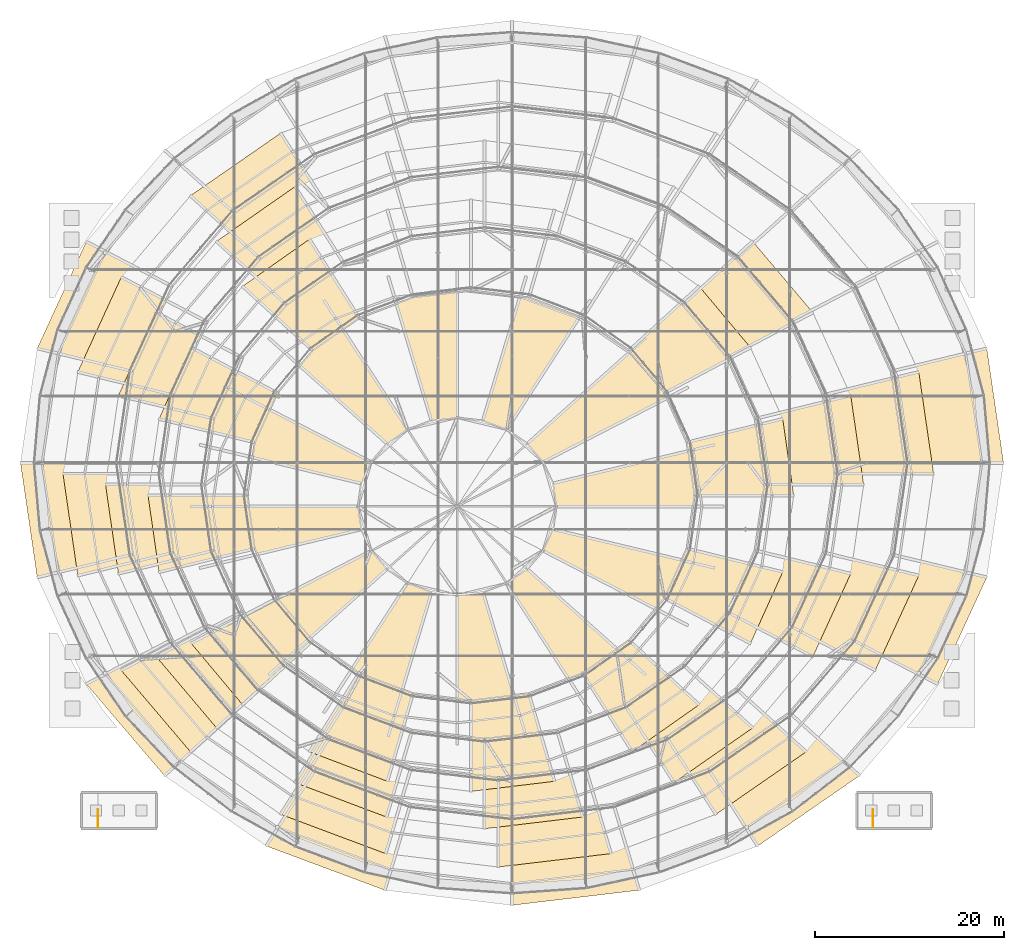
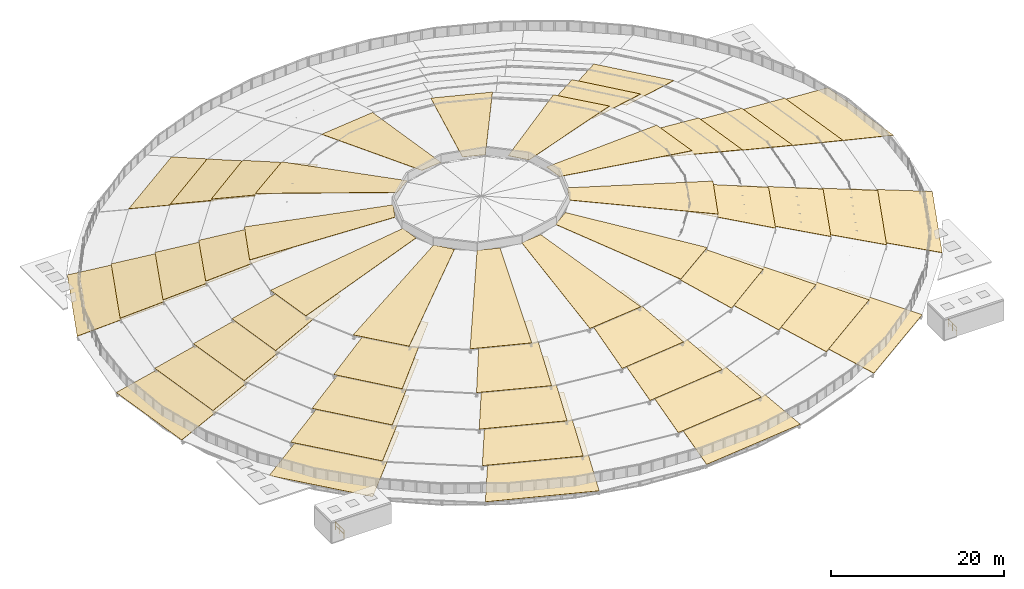
# One storey, part 172 of 173: 49 coverings, 2 railings.
"""IFC4 building model written with IfcOpenShell, lengths in metres."""

from ifc_helpers import new_model, si_unit, direction, frame, origin, origin_2d, place, context, subcontext, project, spatial, polyline, circle, outline, extrude, material, layer, layer_set, type_object, element, save


model = new_model("IFC4")

# Units and contexts
model_context = context("Model", 3, precision=1e-05, world=origin(), true_north=direction((0.0, 1.0)))
body_context = subcontext(model_context, "Body", "Model", "MODEL_VIEW")
ifc_project = project(units=[si_unit("LENGTHUNIT", "METRE"), si_unit("AREAUNIT", "SQUARE_METRE"), si_unit("VOLUMEUNIT", "CUBIC_METRE"), si_unit("PLANEANGLEUNIT", "RADIAN"), si_unit("MASSUNIT", "GRAM", prefix="KILO")], contexts=[model_context])

# Site, building, storey
site_placement = place(None, origin())
site = spatial("IfcSite", under=ifc_project, at=site_placement, CompositionType="ELEMENT")
building_placement = place(site_placement, origin())
building = spatial("IfcBuilding", under=site, at=building_placement, Name="Glasvene Arena", CompositionType="ELEMENT")
storey_placement = place(building_placement, frame((0.0, 0.0, 28.800048828125)))
storey = spatial("IfcBuildingStorey", under=building, at=storey_placement, Name="RF", CompositionType="ELEMENT", Elevation=28.800048828125)

# Coverings
ifc_material_1 = material(Name="Smooth matte white insulated roof panel")
ifc_layer = layer(ifc_material_1, 0.0400390625)
ifc_layer_set = layer_set([ifc_layer], Name="Smooth matte white insulated roof panel")
covering_type = type_object("IfcCoveringType", Name="COV-ROOF-PETAL", PredefinedType="ROOFING", material=ifc_layer_set)
covering_1_placement = place(storey_placement, frame((144.0, 73.0, 0.0400390625), z_axis=(0.231489028727, 0.033863152392, 0.972247970679), x_axis=(-0.144748418903, 0.989468491274, 1.18138e-06)))
element("IfcCovering", 1, at=covering_1_placement, inside=storey, type_object=covering_type, Name="Matte white petal roof membrane 1-01", PredefinedType="ROOFING", context=body_context, shape_type="SweptSolid", body=[
    extrude(outline(polyline([(0.0, 0.0), (12.241717224232712, 4.440892098500626e-16), (11.289728837959428, 10.685861966750252), (1.5198613519329929, 10.685973117628508), (0.0, 0.0)])), origin(), (0.0, 0.0, -1.0), 0.0400390625),
])
covering_2_placement = place(storey_placement, frame((46.966796875, 96.39990234375, 0.0400390625), z_axis=(-0.21553515257, 0.099199737003, 0.971444290829), x_axis=(-0.418088722447, -0.908406197778, 8.64003e-07)))
element("IfcCovering", 2, at=covering_2_placement, inside=storey, type_object=covering_type, Name="Matte white petal roof membrane 1-11", PredefinedType="ROOFING", context=body_context, shape_type="SweptSolid", body=[
    extrude(outline(polyline([(0.0, 0.0), (12.425177532204613, 0.0), (10.406666894711167, 10.536581165941051), (0.4902982023239435, 10.53666252199784), (0.0, 0.0)])), origin(), (0.0, 0.0, -1.0), 0.0400390625),
])
covering_3_placement = place(storey_placement, frame((40.0, 73.0, 0.0400390625), z_axis=(-0.231489028727, -0.033863152392, 0.972247970679), x_axis=(0.144748418903, -0.989468491274, 1.18138e-06)))
element("IfcCovering", 3, at=covering_3_placement, inside=storey, type_object=covering_type, Name="Matte white petal roof membrane 1-13", PredefinedType="ROOFING", context=body_context, shape_type="SweptSolid", body=[
    extrude(outline(polyline([(0.0, 0.0), (12.241717224232712, 4.440892098500626e-16), (11.289728837959428, 10.685861966750252), (1.5198613519329929, 10.685973117628508), (0.0, 0.0)])), origin(), (0.0, 0.0, -1.0), 0.0400390625),
])
covering_4_placement = place(storey_placement, frame((46.966796875, 49.60009765625, 0.0400390625), z_axis=(-0.184821301548, -0.157573849317, 0.970057507834), x_axis=(0.64878442939, -0.760972249285, -1.48321e-07)))
element("IfcCovering", 4, at=covering_4_placement, inside=storey, type_object=covering_type, Name="Matte white petal roof membrane 1-15", PredefinedType="ROOFING", context=body_context, shape_type="SweptSolid", body=[
    extrude(outline(polyline([(0.0, 0.0), (12.737161776082907, 0.0), (12.46918601935394, 10.293353925118693), (2.304083837361431, 10.293339939019024), (0.0, 0.0)])), origin(), (0.0, 0.0, -1.0), 0.0400390625),
])
covering_5_placement = place(storey_placement, frame((66.0, 32.469970703125, 0.0400390625), z_axis=(-0.088876093687, -0.238411353806, 0.967088965063), x_axis=(0.937009571992, -0.349303681624, -2.20372e-07)))
element("IfcCovering", 5, at=covering_5_placement, inside=storey, type_object=covering_type, Name="Matte white petal roof membrane 1-17", PredefinedType="ROOFING", context=body_context, shape_type="SweptSolid", body=[
    extrude(outline(polyline([(0.0, 0.0), (13.384606253981396, 0.0), (12.742537220942722, 9.825569358369075), (2.0606549970171906, 9.825548514118092), (0.0, 0.0)])), origin(), (0.0, 0.0, -1.0), 0.0400390625),
])
covering_6_placement = place(storey_placement, frame((92.0, 26.199951171875, 0.0400390625), z_axis=(0.030290710869, -0.255636062325, 0.966298440687), x_axis=(0.993052876715, 0.117668959578, 1.57217e-07)))
element("IfcCovering", 6, at=covering_6_placement, inside=storey, type_object=covering_type, Name="Matte white petal roof membrane 1-19", PredefinedType="ROOFING", context=body_context, shape_type="SweptSolid", body=[
    extrude(outline(polyline([(0.0, 0.0), (13.552648077575917, -2.220446049250313e-16), (11.928072174230536, 9.711581693708933), (1.1119663155016197, 9.711596576464993), (0.0, 0.0)])), origin(), (0.0, 0.0, -1.0), 0.0400390625),
])
covering_7_placement = place(storey_placement, frame((118.0, 32.469970703125, 0.0400390625), z_axis=(0.141586340681, -0.205016773168, 0.968463438057), x_axis=(0.822846991231, 0.568262992831, -4.6396e-07)))
element("IfcCovering", 7, at=covering_7_placement, inside=storey, type_object=covering_type, Name="Matte white petal roof membrane 1-21", PredefinedType="ROOFING", context=body_context, shape_type="SweptSolid", body=[
    extrude(outline(polyline([(0.0, 0.0), (13.088132395215418, 8.881784197001252e-16), (10.776060498855626, 10.033905998163355), (0.33062434870891233, 10.033862175654544), (0.0, 0.0)])), origin(), (0.0, 0.0, -1.0), 0.0400390625),
])
covering_8_placement = place(storey_placement, frame((137.033203125, 49.60009765625, 0.0400390625), z_axis=(0.21553515257, -0.099199737003, 0.971444290829), x_axis=(0.418088722447, 0.908406197778, 8.64003e-07)))
element("IfcCovering", 8, at=covering_8_placement, inside=storey, type_object=covering_type, Name="Matte white petal roof membrane 1-23", PredefinedType="ROOFING", context=body_context, shape_type="SweptSolid", body=[
    extrude(outline(polyline([(0.0, 0.0), (12.425177532204613, 0.0), (10.406666894711167, 10.536581165941051), (0.4902982023239435, 10.53666252199784), (0.0, 0.0)])), origin(), (0.0, 0.0, -1.0), 0.0400390625),
])
covering_9_placement = place(storey_placement, frame((136.60009765625, 71.85009765625, 2.58984375), z_axis=(0.235860670554, 0.034374340042, 0.971178741959), x_axis=(-0.144210662375, 0.989547009927, -1.443481e-06)))
element("IfcCovering", 9, at=covering_9_placement, inside=storey, type_object=covering_type, Name="Matte white petal roof membrane 2-01", PredefinedType="ROOFING", context=body_context, shape_type="SweptSolid", body=[
    extrude(outline(polyline([(0.0, 0.0), (10.88057973922622, 0.0), (9.913793542461525, 10.698711171247075), (1.514208273988315, 10.698594409012124), (0.0, 0.0)])), origin(), (0.0, 0.0, -1.0), 0.0400390625),
])
covering_10_placement = place(storey_placement, frame((67.52490234375, 107.876708984375, 2.58984375), z_axis=(-0.144262157214, 0.208114765323, 0.967407191647), x_axis=(-0.821850712845, -0.569702910116, 1.68564e-06)))
element("IfcCovering", 10, at=covering_10_placement, inside=storey, type_object=covering_type, Name="Matte white petal roof membrane 2-09", PredefinedType="ROOFING", context=body_context, shape_type="SweptSolid", body=[
    extrude(outline(polyline([(0.0, 0.0), (11.604433923236568, -8.881784197001252e-16), (9.323573065054523, 10.070193159702313), (0.36516935892478763, 10.070330039629248), (0.0, 0.0)])), origin(), (0.0, 0.0, -1.0), 0.0400390625),
])
covering_11_placement = place(storey_placement, frame((50.66943359375, 92.64990234375, 2.58984375), z_axis=(-0.219607802748, 0.100696299557, 0.970377590543), x_axis=(-0.416797349837, -0.908999432985, 9.57372e-07)))
element("IfcCovering", 11, at=covering_11_placement, inside=storey, type_object=covering_type, Name="Matte white petal roof membrane 2-11", PredefinedType="ROOFING", context=body_context, shape_type="SweptSolid", body=[
    extrude(outline(polyline([(0.0, 0.0), (11.037364297245404, 0.0), (9.041835193464571, 10.555093918114475), (0.5210446515838537, 10.555171422032824), (0.0, 0.0)])), origin(), (0.0, 0.0, -1.0), 0.0400390625),
])
covering_12_placement = place(storey_placement, frame((44.5, 71.85009765625, 2.58984375), z_axis=(-0.235863718251, -0.034370886311, 0.971178124026), x_axis=(0.144206732606, -0.98954758262, 1.553461e-06)))
element("IfcCovering", 12, at=covering_12_placement, inside=storey, type_object=covering_type, Name="Matte white petal roof membrane 2-13", PredefinedType="ROOFING", context=body_context, shape_type="SweptSolid", body=[
    extrude(outline(polyline([(0.0, 0.0), (10.880821327919225, 0.0), (9.913966303748749, 10.698473507295587), (1.5141746537653364, 10.698599167340246), (0.0, 0.0)])), origin(), (0.0, 0.0, -1.0), 0.0400390625),
])
covering_13_placement = place(storey_placement, frame((50.66943359375, 51.050048828125, 2.58984375), z_axis=(-0.18831100944, -0.159955797554, 0.968995927005), x_axis=(0.647391469929, -0.762157650794, -6.12685e-07)))
element("IfcCovering", 13, at=covering_13_placement, inside=storey, type_object=covering_type, Name="Matte white petal roof membrane 2-15", PredefinedType="ROOFING", context=body_context, shape_type="SweptSolid", body=[
    extrude(outline(polyline([(0.0, 0.0), (11.304382372824216, 0.0), (10.99897672151799, 10.320906883303298), (2.272231876256899, 10.320857211396357), (0.0, 0.0)])), origin(), (0.0, 0.0, -1.0), 0.0400390625),
])
covering_14_placement = place(storey_placement, frame((67.52490234375, 35.8232421875, 2.58984375), z_axis=(-0.090554804084, -0.242011864432, 0.966038345477), x_axis=(0.936582768501, -0.350446454893, -1.35421e-07)))
element("IfcCovering", 14, at=covering_14_placement, inside=storey, type_object=covering_type, Name="Matte white petal roof membrane 2-17", PredefinedType="ROOFING", context=body_context, shape_type="SweptSolid", body=[
    extrude(outline(polyline([(0.0, 0.0), (11.858477260701664, -4.440892098500626e-16), (11.193067935811923, 9.86866354240594), (2.03828187782794, 9.868652529838156), (0.0, 0.0)])), origin(), (0.0, 0.0, -1.0), 0.0400390625),
])
covering_15_placement = place(storey_placement, frame((90.550048828125, 30.25, 2.58984375), z_axis=(0.030862119154, -0.259499185211, 0.965250072508), x_axis=(0.993001813873, 0.118099100951, 4.97457e-07)))
element("IfcCovering", 15, at=covering_15_placement, inside=storey, type_object=covering_type, Name="Matte white petal roof membrane 2-19", PredefinedType="ROOFING", context=body_context, shape_type="SweptSolid", body=[
    extrude(outline(polyline([(0.0, 0.0), (12.002452619569137, 2.220446049250313e-16), (10.385979247061696, 9.758021138560556), (1.1202127602746113, 9.758061624201938), (0.0, 0.0)])), origin(), (0.0, 0.0, -1.0), 0.0400390625),
])
covering_16_placement = place(storey_placement, frame((113.574951171875, 35.8232421875, 2.58984375), z_axis=(0.144260032322, -0.208113375655, 0.967407807467), x_axis=(0.821857240862, 0.569693492715, -3.26929e-07)))
element("IfcCovering", 16, at=covering_16_placement, inside=storey, type_object=covering_type, Name="Matte white petal roof membrane 2-21", PredefinedType="ROOFING", context=body_context, shape_type="SweptSolid", body=[
    extrude(outline(polyline([(0.0, 0.0), (11.604634571172364, 0.0), (9.323796035705573, 10.070360821779554), (0.36505259450988403, 10.070334273071168), (0.0, 0.0)])), origin(), (0.0, 0.0, -1.0), 0.0400390625),
])
covering_17_placement = place(storey_placement, frame((130.430419921875, 51.050048828125, 2.58984375), z_axis=(0.219604588853, -0.100697841615, 0.970378157858), x_axis=(0.416815161719, 0.908991265612, -1.096195e-06)))
element("IfcCovering", 17, at=covering_17_placement, inside=storey, type_object=covering_type, Name="Matte white petal roof membrane 2-23", PredefinedType="ROOFING", context=body_context, shape_type="SweptSolid", body=[
    extrude(outline(polyline([(0.0, 0.0), (11.03746605658737, 0.0), (9.041629253349374, 10.555270329601633), (0.5208387115804678, 10.55518158602328), (0.0, 0.0)])), origin(), (0.0, 0.0, -1.0), 0.0400390625),
])
covering_18_placement = place(storey_placement, frame((129.199951171875, 70.699951171875, 5.18994140625), z_axis=(0.240223908987, 0.034840596753, 0.97009206077), x_axis=(-0.143538945292, 0.989644669152, 1.727344e-06)))
element("IfcCovering", 18, at=covering_18_placement, inside=storey, type_object=covering_type, Name="Matte white petal roof membrane 3-01", PredefinedType="ROOFING", context=body_context, shape_type="SweptSolid", body=[
    extrude(outline(polyline([(0.0, 0.0), (9.5197230504677, -2.220446049250313e-16), (8.534260043735818, 10.711509870476664), (1.5071634168307313, 10.711627619401101), (0.0, 0.0)])), origin(), (0.0, 0.0, -1.0), 0.0400390625),
])
covering_19_placement = place(storey_placement, frame((123.82763671875, 88.89990234375, 5.18994140625), z_axis=(0.191804927642, 0.162132914037, 0.967948236177), x_axis=(-0.645561928834, 0.763707925872, -2.40143e-07)))
element("IfcCovering", 19, at=covering_19_placement, inside=storey, type_object=covering_type, Name="Matte white petal roof membrane 3-03", PredefinedType="ROOFING", context=body_context, shape_type="SweptSolid", body=[
    extrude(outline(polyline([(0.0, 0.0), (9.871336550154723, -8.881784197001252e-16), (9.517338495109565, 10.352786054461061), (2.2309038180464604, 10.352769648612792), (0.0, 0.0)])), origin(), (0.0, 0.0, -1.0), 0.0400390625),
])
covering_20_placement = place(storey_placement, frame((69.050048828125, 102.223388671875, 5.18994140625), z_axis=(-0.146935349015, 0.210957103203, 0.966388691893), x_axis=(-0.820566226963, -0.571551456266, 2.746924e-06)))
element("IfcCovering", 20, at=covering_20_placement, inside=storey, type_object=covering_type, Name="Matte white petal roof membrane 3-09", PredefinedType="ROOFING", context=body_context, shape_type="SweptSolid", body=[
    extrude(outline(polyline([(0.0, 0.0), (10.120981823089542, 0.0), (7.8806174863656695, 10.113667057518423), (0.4098456656423412, 10.11385502313995), (0.0, 0.0)])), origin(), (0.0, 0.0, -1.0), 0.0400390625),
])
covering_21_placement = place(storey_placement, frame((54.372314453125, 88.89990234375, 5.18994140625), z_axis=(-0.223669485577, 0.102066805302, 0.969306106695), x_axis=(-0.415133883873, -0.909760330223, 3.660602e-06)))
element("IfcCovering", 21, at=covering_21_placement, inside=storey, type_object=covering_type, Name="Matte white petal roof membrane 3-11", PredefinedType="ROOFING", context=body_context, shape_type="SweptSolid", body=[
    extrude(outline(polyline([(0.0, 0.0), (9.64957976580567, -4.440892098500626e-16), (7.683458075895944, 10.57553528396468), (0.560341576760755, 10.575785015186677), (0.0, 0.0)])), origin(), (0.0, 0.0, -1.0), 0.0400390625),
])
covering_22_placement = place(storey_placement, frame((49.0, 70.699951171875, 5.18994140625), z_axis=(-0.240223785445, -0.034841617736, 0.970092054694), x_axis=(0.143542620766, -0.989644136051, 1.596807e-06)))
element("IfcCovering", 22, at=covering_22_placement, inside=storey, type_object=covering_type, Name="Matte white petal roof membrane 3-13", PredefinedType="ROOFING", context=body_context, shape_type="SweptSolid", body=[
    extrude(outline(polyline([(0.0, 0.0), (9.51948143808149, 2.220446049250313e-16), (8.534056683981627, 10.711513389666518), (1.5072016699008925, 10.711622236992827), (0.0, 0.0)])), origin(), (0.0, 0.0, -1.0), 0.0400390625),
])
covering_23_placement = place(storey_placement, frame((54.372314453125, 52.5, 5.18994140625), z_axis=(-0.191798850541, -0.162131350593, 0.96794970225), x_axis=(0.645575967213, -0.763696059014, 1.709756e-06)))
element("IfcCovering", 23, at=covering_23_placement, inside=storey, type_object=covering_type, Name="Matte white petal roof membrane 3-15", PredefinedType="ROOFING", context=body_context, shape_type="SweptSolid", body=[
    extrude(outline(polyline([(0.0, 0.0), (9.871494159781639, -8.881784197001252e-16), (9.51749893093738, 10.352945084473276), (2.23106425481254, 10.35306189336), (0.0, 0.0)])), origin(), (0.0, 0.0, -1.0), 0.0400390625),
])
covering_24_placement = place(storey_placement, frame((69.050048828125, 39.1767578125, 5.18994140625), z_axis=(-0.092243481839, -0.24532348173, 0.965042760384), x_axis=(0.936019939147, -0.351946975436, 9.12767e-07)))
element("IfcCovering", 24, at=covering_24_placement, inside=storey, type_object=covering_type, Name="Matte white petal roof membrane 3-17", PredefinedType="ROOFING", context=body_context, shape_type="SweptSolid", body=[
    extrude(outline(polyline([(0.0, 0.0), (10.33245704797012, 4.440892098500626e-16), (9.635992000820206, 9.920501391167154), (2.0090837890247637, 9.920563936675878), (0.0, 0.0)])), origin(), (0.0, 0.0, -1.0), 0.0400390625),
])
covering_25_placement = place(storey_placement, frame((89.10009765625, 34.300048828125, 5.18994140625), z_axis=(0.031432226101, -0.26305309258, 0.964269197707), x_axis=(0.992935389262, 0.118656279831, 2.832927e-06)))
element("IfcCovering", 25, at=covering_25_placement, inside=storey, type_object=covering_type, Name="Matte white petal roof membrane 3-19", PredefinedType="ROOFING", context=body_context, shape_type="SweptSolid", body=[
    extrude(outline(polyline([(0.0, 0.0), (10.4522600827793, 2.220446049250313e-16), (8.846321608396938, 9.814396213201396), (1.1309500330221918, 9.81459048592456), (0.0, 0.0)])), origin(), (0.0, 0.0, -1.0), 0.0400390625),
])
covering_26_placement = place(storey_placement, frame((109.14990234375, 39.1767578125, 5.18994140625), z_axis=(0.146932206358, -0.210959726823, 0.966388596991), x_axis=(0.820584750401, 0.571524861583, -1.654829e-06)))
element("IfcCovering", 26, at=covering_26_placement, inside=storey, type_object=covering_type, Name="Matte white petal roof membrane 3-21", PredefinedType="ROOFING", context=body_context, shape_type="SweptSolid", body=[
    extrude(outline(polyline([(0.0, 0.0), (10.12104262319557, 8.881784197001252e-16), (7.880489610617662, 10.11378795219653), (0.40937791716239796, 10.113674713660265), (0.0, 0.0)])), origin(), (0.0, 0.0, -1.0), 0.0400390625),
])
covering_27_placement = place(storey_placement, frame((123.82763671875, 52.5, 5.18994140625), z_axis=(0.223672413798, -0.102062929851, 0.96930583907), x_axis=(0.415123845805, 0.909764910645, 1.56776e-06)))
element("IfcCovering", 27, at=covering_27_placement, inside=storey, type_object=covering_type, Name="Matte white petal roof membrane 3-23", PredefinedType="ROOFING", context=body_context, shape_type="SweptSolid", body=[
    extrude(outline(polyline([(0.0, 0.0), (9.649801875943824, -4.440892098500626e-16), (7.683787850400673, 10.575555299574932), (0.5607727030250234, 10.575662254612915), (0.0, 0.0)])), origin(), (0.0, 0.0, -1.0), 0.0400390625),
])
covering_28_placement = place(storey_placement, frame((121.800048828125, 69.550048828125, 7.83984375), z_axis=(0.244568244999, 0.035130556133, 0.968995468289), x_axis=(-0.14217764619, 0.989841157419, -1.581985e-06)))
element("IfcCovering", 28, at=covering_28_placement, inside=storey, type_object=covering_type, Name="Matte white petal roof membrane 4-01", PredefinedType="ROOFING", context=body_context, shape_type="SweptSolid", body=[
    extrude(outline(polyline([(0.0, 0.0), (8.183969264178346, -4.440892098500626e-16), (7.160558447580045, 10.725975232579152), (1.4928610924986288, 10.72588654363687), (0.0, 0.0)])), origin(), (0.0, 0.0, -1.0), 0.0400390625),
])
covering_29_placement = place(storey_placement, frame((117.224853515625, 85.199951171875, 7.83984375), z_axis=(0.195303249601, 0.163513234674, 0.967016061284), x_axis=(-0.641943831921, 0.766751665573, -3.39802e-07)))
element("IfcCovering", 29, at=covering_29_placement, inside=storey, type_object=covering_type, Name="Matte white petal roof membrane 4-03", PredefinedType="ROOFING", context=body_context, shape_type="SweptSolid", body=[
    extrude(outline(polyline([(0.0, 0.0), (8.45439492380113, 8.881784197001252e-16), (8.00285220150963, 10.404353872604199), (2.1479315669944694, 10.404334783335461), (0.0, 0.0)])), origin(), (0.0, 0.0, -1.0), 0.0400390625),
])
covering_30_placement = place(storey_placement, frame((70.574951171875, 96.656494140625, 7.83984375), z_axis=(-0.149640653842, 0.212770575896, 0.965575660811), x_axis=(-0.817969355973, -0.575261794908, -2.781612e-06)))
element("IfcCovering", 30, at=covering_30_placement, inside=storey, type_object=covering_type, Name="Matte white petal roof membrane 4-09", PredefinedType="ROOFING", context=body_context, shape_type="SweptSolid", body=[
    extrude(outline(polyline([(0.0, 0.0), (8.646717786133815, 4.440892098500626e-16), (6.488064895806904, 10.188145727668465), (0.5000167645350246, 10.187989231142007), (0.0, 0.0)])), origin(), (0.0, 0.0, -1.0), 0.0400390625),
])
covering_31_placement = place(storey_placement, frame((58.0751953125, 85.199951171875, 7.83984375), z_axis=(-0.227732533658, 0.102915871855, 0.968269702322), x_axis=(-0.411823106627, -0.911263808589, -2.076013e-06)))
element("IfcCovering", 31, at=covering_31_placement, inside=storey, type_object=covering_type, Name="Matte white petal roof membrane 4-11", PredefinedType="ROOFING", context=body_context, shape_type="SweptSolid", body=[
    extrude(outline(polyline([(0.0, 0.0), (8.284180741547896, 4.440892098500626e-16), (6.377033163787178, 10.604560457932061), (0.6399688571587168, 10.604443981735951), (0.0, 0.0)])), origin(), (0.0, 0.0, -1.0), 0.0400390625),
])
covering_32_placement = place(storey_placement, frame((53.5, 69.550048828125, 7.83984375), z_axis=(-0.244568395069, -0.035129326645, 0.968995474986), x_axis=(0.14217340146, -0.98984176711, -1.397475e-06)))
element("IfcCovering", 32, at=covering_32_placement, inside=storey, type_object=covering_type, Name="Matte white petal roof membrane 4-13", PredefinedType="ROOFING", context=body_context, shape_type="SweptSolid", body=[
    extrude(outline(polyline([(0.0, 0.0), (8.184210924707175, 0.0), (7.160756027057033, 10.725971026529342), (1.4928170118211879, 10.725892678827396), (0.0, 0.0)])), origin(), (0.0, 0.0, -1.0), 0.0400390625),
])
covering_33_placement = place(storey_placement, frame((58.0751953125, 53.89990234375, 7.83984375), z_axis=(-0.195300643478, -0.163506706948, 0.967017691379), x_axis=(0.641927304899, -0.766765502105, -2.571346e-06)))
element("IfcCovering", 33, at=covering_33_placement, inside=storey, type_object=covering_type, Name="Matte white petal roof membrane 4-15", PredefinedType="ROOFING", context=body_context, shape_type="SweptSolid", body=[
    extrude(outline(polyline([(0.0, 0.0), (8.454238201292636, -1.7763568394002505e-15), (8.002442224468647, 10.404676777521681), (2.1475215917467745, 10.404532323376806), (0.0, 0.0)])), origin(), (0.0, 0.0, -1.0), 0.0400390625),
])
covering_34_placement = place(storey_placement, frame((70.574951171875, 42.443359375, 7.83984375), z_axis=(-0.09394780539, -0.247454827011, 0.964333924764), x_axis=(0.934890958317, -0.354935058928, 5.80925e-07)))
element("IfcCovering", 34, at=covering_34_placement, inside=storey, type_object=covering_type, Name="Matte white petal roof membrane 4-17", PredefinedType="ROOFING", context=body_context, shape_type="SweptSolid", body=[
    extrude(outline(polyline([(0.0, 0.0), (8.809933985483951, 8.881784197001252e-16), (8.05108883392578, 10.01229862040993), (1.949982527319715, 10.01233134637202), (0.0, 0.0)])), origin(), (0.0, 0.0, -1.0), 0.0400390625),
])
covering_35_placement = place(storey_placement, frame((87.64990234375, 38.25, 7.83984375), z_axis=(0.032015428238, -0.265356063942, 0.963618789607), x_axis=(0.992800326735, 0.11978109715, -2.97982e-07)))
element("IfcCovering", 35, at=covering_35_placement, inside=storey, type_object=covering_type, Name="Matte white petal roof membrane 4-19", PredefinedType="ROOFING", context=body_context, shape_type="SweptSolid", body=[
    extrude(outline(polyline([(0.0, 0.0), (8.90296554235136, 2.220446049250313e-16), (7.318231309747699, 9.915236458024953), (1.1527460532089182, 9.915219658706949), (0.0, 0.0)])), origin(), (0.0, 0.0, -1.0), 0.0400390625),
])
covering_36_placement = place(storey_placement, frame((104.72509765625, 42.443359375, 7.83984375), z_axis=(0.14964074672, -0.212766368531, 0.965576573527), x_axis=(0.817960270643, 0.575274713202, -1.112341e-06)))
element("IfcCovering", 36, at=covering_36_placement, inside=storey, type_object=covering_type, Name="Matte white petal roof membrane 4-21", PredefinedType="ROOFING", context=body_context, shape_type="SweptSolid", body=[
    extrude(outline(polyline([(0.0, 0.0), (8.64651808764953, 4.440892098500626e-16), (6.4883651313039845, 10.188236792177896), (0.500316998270598, 10.1881742106997), (0.0, 0.0)])), origin(), (0.0, 0.0, -1.0), 0.0400390625),
])
covering_37_placement = place(storey_placement, frame((117.224853515625, 53.89990234375, 7.83984375), z_axis=(0.227730844817, -0.102917075147, 0.968269971631), x_axis=(0.411823514728, 0.91126362416, -3.40853e-07)))
element("IfcCovering", 37, at=covering_37_placement, inside=storey, type_object=covering_type, Name="Matte white petal roof membrane 4-23", PredefinedType="ROOFING", context=body_context, shape_type="SweptSolid", body=[
    extrude(outline(polyline([(0.0, 0.0), (8.284180741566423, 4.440892098500626e-16), (6.377033163772915, 10.604560457940636), (0.640191333656237, 10.604541334353863), (0.0, 0.0)])), origin(), (0.0, 0.0, -1.0), 0.0400390625),
])
covering_38_placement = place(storey_placement, frame((114.39990234375, 68.39990234375, 10.989990234375), z_axis=(0.142567607182, 0.020998420172, 0.989562299066), x_axis=(-0.145723043744, 0.989325423974, 1.126476e-06)))
element("IfcCovering", 38, at=covering_38_placement, inside=storey, type_object=covering_type, Name="Matte white petal roof membrane 5-01", PredefinedType="ROOFING", context=body_context, shape_type="SweptSolid", body=[
    extrude(outline(polyline([(0.0, 0.0), (6.592590058249435, 1.1102230246251565e-16), (5.034199289845778, 17.69564245355804), (2.579293631453396, 17.69571317792161), (0.0, 0.0)])), origin(), (0.0, 0.0, -1.0), 0.0400390625),
])
covering_39_placement = place(storey_placement, frame((110.621826171875, 81.0, 10.989990234375), z_axis=(0.11397725934, 0.097869623344, 0.988650960238), x_axis=(-0.651463319044, 0.758680132823, 2.67867e-07)))
element("IfcCovering", 39, at=covering_39_placement, inside=storey, type_object=covering_type, Name="Matte white petal roof membrane 5-03", PredefinedType="ROOFING", context=body_context, shape_type="SweptSolid", body=[
    extrude(outline(polyline([(0.0, 0.0), (6.8790444052065, 0.0), (6.547533898381407, 16.974201631789963), (3.986048145711567, 16.97421846463551), (0.0, 0.0)])), origin(), (0.0, 0.0, -1.0), 0.0400390625),
])
covering_40_placement = place(storey_placement, frame((100.300048828125, 90.223876953125, 10.989990234375), z_axis=(0.054908709492, 0.148343924287, 0.987410306686), x_axis=(-0.937822918482, 0.347114064197, 2.414121e-06)))
element("IfcCovering", 40, at=covering_40_placement, inside=storey, type_object=covering_type, Name="Matte white petal roof membrane 5-05", PredefinedType="ROOFING", context=body_context, shape_type="SweptSolid", body=[
    extrude(outline(polyline([(0.0, 0.0), (7.252188471439812, 0.0), (6.24549129651148, 16.12109674777639), (3.5450627955509746, 16.121248643280104), (0.0, 0.0)])), origin(), (0.0, 0.0, -1.0), 0.0400390625),
])
covering_41_placement = place(storey_placement, frame((86.199951171875, 93.60009765625, 10.989990234375), z_axis=(-0.018723832156, 0.159138996898, 0.987078617829), x_axis=(-0.993147039063, -0.116871548241, 3.345719e-06)))
element("IfcCovering", 41, at=covering_41_placement, inside=storey, type_object=covering_type, Name="Matte white petal roof membrane 5-07", PredefinedType="ROOFING", context=body_context, shape_type="SweptSolid", body=[
    extrude(outline(polyline([(0.0, 0.0), (7.348946494022114, -1.1102230246251565e-16), (4.584838010349983, 15.914165606171348), (1.8485820170728673, 15.914376183711367), (0.0, 0.0)])), origin(), (0.0, 0.0, -1.0), 0.0400390625),
])
covering_42_placement = place(storey_placement, frame((72.10009765625, 90.223876953125, 10.989990234375), z_axis=(-0.087398069759, 0.12746118032, 0.987985437602), x_axis=(-0.824734512848, -0.565520099832, 1.675058e-06)))
element("IfcCovering", 42, at=covering_42_placement, inside=storey, type_object=covering_type, Name="Matte white petal roof membrane 5-09", PredefinedType="ROOFING", context=body_context, shape_type="SweptSolid", body=[
    extrude(outline(polyline([(0.0, 0.0), (7.081766471805448, -4.440892098500626e-16), (3.08432469155772, 16.500117559162593), (0.4477178664565863, 16.500222891765574), (0.0, 0.0)])), origin(), (0.0, 0.0, -1.0), 0.0400390625),
])
covering_43_placement = place(storey_placement, frame((61.778076171875, 81.0, 10.989990234375), z_axis=(-0.132807821469, 0.061556370828, 0.989228434573), x_axis=(-0.420529680897, -0.907278781568, -8.50825e-07)))
element("IfcCovering", 43, at=covering_43_placement, inside=storey, type_object=covering_type, Name="Matte white petal roof membrane 5-11", PredefinedType="ROOFING", context=body_context, shape_type="SweptSolid", body=[
    extrude(outline(polyline([(0.0, 0.0), (6.699022767336847, 4.440892098500626e-16), (3.2232076843705277, 17.42076499870939), (0.729027377854538, 17.420711563751134), (0.0, 0.0)])), origin(), (0.0, 0.0, -1.0), 0.0400390625),
])
covering_44_placement = place(storey_placement, frame((58.0, 68.39990234375, 10.989990234375), z_axis=(-0.142566494789, -0.021006606428, 0.989562285584), x_axis=(0.145759714678, -0.98932002182, -1.823762e-06)))
element("IfcCovering", 44, at=covering_44_placement, inside=storey, type_object=covering_type, Name="Matte white petal roof membrane 5-13", PredefinedType="ROOFING", context=body_context, shape_type="SweptSolid", body=[
    extrude(outline(polyline([(0.0, 0.0), (6.592625639621668, 0.0), (5.034634888677106, 17.695734155237915), (2.5799351819485508, 17.695619654857452), (0.0, 0.0)])), origin(), (0.0, 0.0, -1.0), 0.0400390625),
])
covering_45_placement = place(storey_placement, frame((61.778076171875, 55.800048828125, 10.989990234375), z_axis=(-0.113978175879, -0.097867074394, 0.988651106899), x_axis=(0.651445885502, -0.758695102305, -6.6384e-07)))
element("IfcCovering", 45, at=covering_45_placement, inside=storey, type_object=covering_type, Name="Matte white petal roof membrane 5-15", PredefinedType="ROOFING", context=body_context, shape_type="SweptSolid", body=[
    extrude(outline(polyline([(0.0, 0.0), (6.879229631679142, 0.0), (6.547145904806952, 16.974351289174038), (3.9856601524249973, 16.974309572246447), (0.0, 0.0)])), origin(), (0.0, 0.0, -1.0), 0.0400390625),
])
covering_46_placement = place(storey_placement, frame((72.10009765625, 46.576171875, 10.989990234375), z_axis=(-0.054908224497, -0.148342614002, 0.987410530506), x_axis=(0.937812233532, -0.347142931126, -2.516867e-06)))
element("IfcCovering", 46, at=covering_46_placement, inside=storey, type_object=covering_type, Name="Matte white petal roof membrane 5-17", PredefinedType="ROOFING", context=body_context, shape_type="SweptSolid", body=[
    extrude(outline(polyline([(0.0, 0.0), (7.252273219608207, 4.440892098500626e-16), (6.244675033937194, 16.121433824040846), (3.544331281245868, 16.121275462396685), (0.0, 0.0)])), origin(), (0.0, 0.0, -1.0), 0.0400390625),
])
covering_47_placement = place(storey_placement, frame((86.199951171875, 43.199951171875, 10.989990234375), z_axis=(0.018723085372, -0.159136528601, 0.987079029936), x_axis=(0.993151245905, 0.116835793975, -2.039244e-06)))
element("IfcCovering", 47, at=covering_47_placement, inside=storey, type_object=covering_type, Name="Matte white petal roof membrane 5-19", PredefinedType="ROOFING", context=body_context, shape_type="SweptSolid", body=[
    extrude(outline(polyline([(0.0, 0.0), (7.3491604333440455, -1.1102230246251565e-16), (4.584287278475749, 15.914571812870411), (1.8480027549717082, 15.914443458963051), (0.0, 0.0)])), origin(), (0.0, 0.0, -1.0), 0.0400390625),
])
covering_48_placement = place(storey_placement, frame((100.300048828125, 46.576171875, 10.989990234375), z_axis=(0.087396412071, -0.127460542508, 0.987985666526), x_axis=(0.82473953396, 0.565512777152, 1.304888e-06)))
element("IfcCovering", 48, at=covering_48_placement, inside=storey, type_object=covering_type, Name="Matte white petal roof membrane 5-21", PredefinedType="ROOFING", context=body_context, shape_type="SweptSolid", body=[
    extrude(outline(polyline([(0.0, 0.0), (7.081427054445596, -4.440892098500626e-16), (3.083977653860052, 16.500281196986606), (0.44737082792092275, 16.50036325010491), (0.0, 0.0)])), origin(), (0.0, 0.0, -1.0), 0.0400390625),
])
covering_49_placement = place(storey_placement, frame((110.621826171875, 55.800048828125, 10.989990234375), z_axis=(0.132804395239, -0.061564359319, 0.989228397422), x_axis=(0.420573798409, 0.907258331508, 7.36902e-07)))
element("IfcCovering", 49, at=covering_49_placement, inside=storey, type_object=covering_type, Name="Matte white petal roof membrane 5-23", PredefinedType="ROOFING", context=body_context, shape_type="SweptSolid", body=[
    extrude(outline(polyline([(0.0, 0.0), (6.698903939992256, 8.881784197001252e-16), (3.222476418238557, 17.420700162708695), (0.7281934381325506, 17.420746442725783), (0.0, 0.0)])), origin(), (0.0, 0.0, -1.0), 0.0400390625),
])

# Railings
ifc_material_2 = material(Name="Brushed stainless steel", Category="steel")
railing_type = type_object("IfcRailingType", Name="RL-GUARD-1100", PredefinedType="GUARDRAIL", material=ifc_material_2)
for number, where, name in (
    (50, (48.199951171875, 34.39990234375, 0.0), "Stair top landing well guard ST-05"),
    (51, (130.199951171875, 34.39990234375, 0.0), "Stair top landing well guard ST-06"),
):
    element("IfcRailing", number, at=place(storey_placement, frame(where)), inside=storey, type_object=railing_type, Name=name, PredefinedType="GUARDRAIL", context=body_context, shape_type="SweptSolid", body=[
        extrude(circle(Radius=0.02392578125, at=origin_2d()), frame((0.0, 0.0, 1.076171875), z_axis=(0.0, 1.0, 0.0), x_axis=(-1.0, 0.0, 0.0)), (0.0, 0.0, 1.0), 1.9501953125),
        extrude(circle(Radius=0.01611328125, at=origin_2d()), frame((0.0, 0.0, 0.550048828125), z_axis=(0.0, 1.0, 0.0), x_axis=(-1.0, 0.0, 0.0)), (0.0, 0.0, 1.0), 1.9501953125),
        extrude(circle(Radius=0.02099609375, at=origin_2d()), origin(), (0.0, 0.0, 1.0), 1.052001953125),
        extrude(circle(Radius=0.02099609375, at=origin_2d()), frame((0.0, 0.97509765625, 0.0)), (0.0, 0.0, 1.0), 1.052001953125),
        extrude(circle(Radius=0.02099609375, at=origin_2d()), frame((0.0, 1.9501953125, 0.0)), (0.0, 0.0, 1.0), 1.052001953125),
    ])

save(model, "model.ifc")
